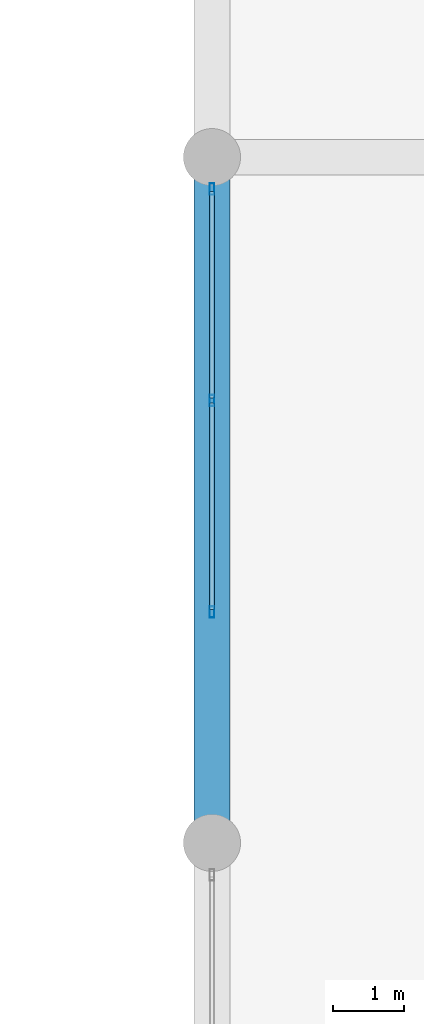
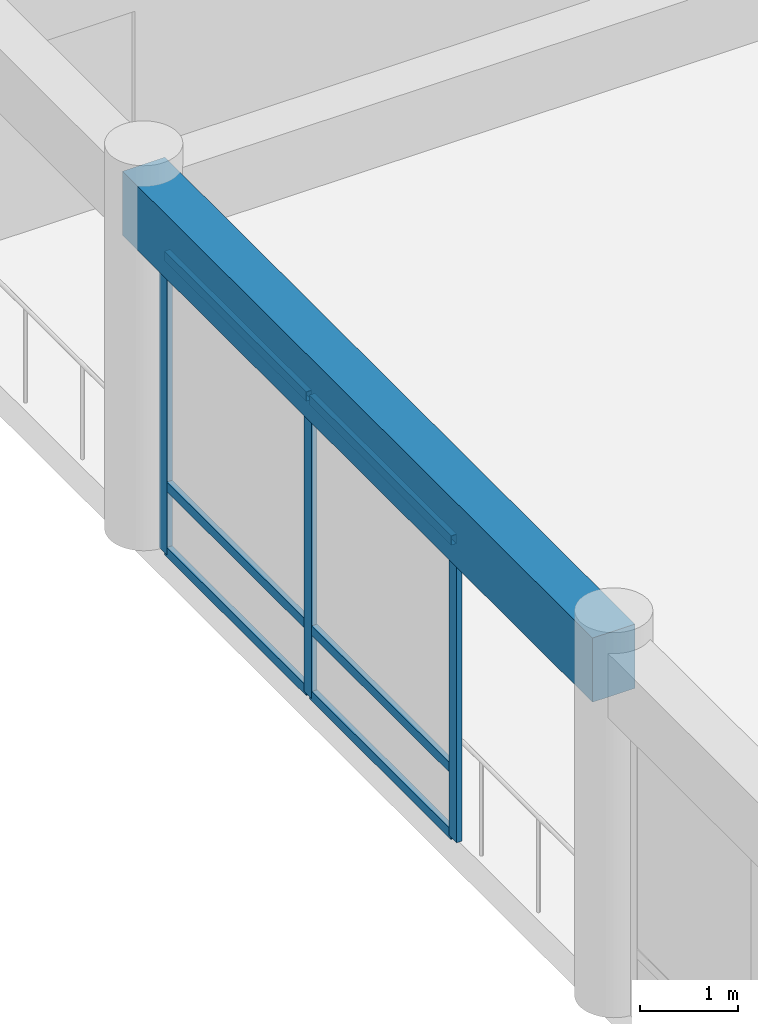
# One storey, part 24 of 101: 9 members, 1 beam, 1 element without a shape of its own.
"""IFC4 building model written with IfcOpenShell, lengths in metres."""

from ifc_helpers import new_model, si_unit, direction, frame, origin, origin_2d, place, context, subcontext, project, spatial, rectangle, hollow_rectangle, extrude, material, layer, layer_set, material_profile, profile_set, type_object, element, aggregate, save


model = new_model("IFC4")

# Units and contexts
model_context = context("Model", 3, precision=1e-05, world=origin(), true_north=direction((0.0, 1.0)))
body_context = subcontext(model_context, "Body", "Model", "MODEL_VIEW")
ifc_project = project(units=[si_unit("LENGTHUNIT", "METRE"), si_unit("AREAUNIT", "SQUARE_METRE"), si_unit("VOLUMEUNIT", "CUBIC_METRE"), si_unit("PLANEANGLEUNIT", "RADIAN"), si_unit("MASSUNIT", "GRAM", prefix="KILO")], contexts=[model_context])

# Site, building, storey
site_placement = place(None, origin())
site = spatial("IfcSite", under=ifc_project, at=site_placement, CompositionType="ELEMENT")
building_placement = place(site_placement, origin())
building = spatial("IfcBuilding", under=site, at=building_placement, Name="Nakhvara Creek Congress Hotel", CompositionType="ELEMENT")
storey_placement = place(building_placement, frame((0.0, 0.0, 16.199951171875)))
storey = spatial("IfcBuildingStorey", under=building, at=storey_placement, Name="L03", CompositionType="ELEMENT", Elevation=16.199951171875)

# Beam
ifc_material_1 = material(Name="Concrete C40/50", Category="concrete")
ifc_material_profile_1 = material_profile(ifc_material_1, rectangle(XDim=0.5, YDim=0.800048828125, at=origin_2d()), Name="RC-BM 500x800", Category="LoadBearing")
ifc_profile_set_1 = profile_set([ifc_material_profile_1], Name="Concrete C40/50")
beam_type = type_object("IfcBeamType", Name="BM-RC-500X800", PredefinedType="BEAM", material=ifc_profile_set_1)
beam_placement = place(storey_placement, frame((124.800048828125, 62.39990234375, 4.14013671875), z_axis=(0.0, 1.0, 0.0), x_axis=(-1.0, 0.0, 0.0)))
element("IfcBeam", 1, at=beam_placement, inside=storey, type_object=beam_type, Name="Beam B03-L03-1777", PredefinedType="BEAM", context=body_context, shape_type="SweptSolid", body=[
    extrude(rectangle(XDim=0.5, YDim=0.800048828125, at=origin_2d()), origin(), (0.0, 0.0, 1.0), 9.60009765625),
])

# Curtain wall, members
ifc_material_2 = material(Name="Bronze-anodised aluminium AW-6063-T6 and double-silver low-E glass", Category="aluminium")
ifc_layer = layer(ifc_material_2, 0.199951171875)
ifc_layer_set = layer_set([ifc_layer], Name="Bronze-anodised aluminium AW-6063-T6 and double-silver low-E glass")
curtain_wall_type = type_object("IfcCurtainWallType", Name="CW-POD-STICK", PredefinedType="NOTDEFINED", material=ifc_layer_set)
curtain_wall_placement = place(storey_placement, origin())
curtain_wall = element("IfcCurtainWall", 2, at=curtain_wall_placement, inside=storey, type_object=curtain_wall_type, Name="Curtain Wall CW064", PredefinedType="NOTDEFINED")
ifc_material_3 = material(Name="Bronze-anodised aluminium AW-6063-T6", Category="aluminium")
ifc_material_profile_2 = material_profile(ifc_material_3, hollow_rectangle(XDim=0.06494140625, YDim=0.159912109375, WallThickness=0.00390625, at=origin_2d()), Name="ALU-MULL 65x160x4", Category="LoadBearing")
ifc_profile_set_2 = profile_set([ifc_material_profile_2], Name="Bronze-anodised aluminium AW-6063-T6")
member_type_1 = type_object("IfcMemberType", Name="CW-MULL-160", PredefinedType="MULLION", material=ifc_profile_set_2)
member_1_placement = place(storey_placement, frame((124.800048828125, 65.632568359375, 0.0), z_axis=(0.0, 0.0, 1.0), x_axis=(-1.0, 0.0, 0.0)))
member_1 = element("IfcMember", 3, at=member_1_placement, type_object=member_type_1, Name="CW064 mullion 1", PredefinedType="MULLION", context=body_context, shape_type="SweptSolid", body=[
    extrude(hollow_rectangle(XDim=0.06494140625, YDim=0.159912109375, WallThickness=0.00390625, at=origin_2d()), origin(), (0.0, 0.0, 1.0), 3.73193359375),
])
member_2_placement = place(storey_placement, frame((124.800048828125, 68.592529296875, 0.0), z_axis=(0.0, 0.0, 1.0), x_axis=(-1.0, 0.0, 0.0)))
member_2 = element("IfcMember", 4, at=member_2_placement, type_object=member_type_1, Name="CW064 mullion 2", PredefinedType="MULLION", context=body_context, shape_type="SweptSolid", body=[
    extrude(hollow_rectangle(XDim=0.06494140625, YDim=0.159912109375, WallThickness=0.00390625, at=origin_2d()), origin(), (0.0, 0.0, 1.0), 3.73193359375),
])
member_3_placement = place(storey_placement, frame((124.800048828125, 71.552490234375, 0.0), z_axis=(0.0, 0.0, 1.0), x_axis=(-1.0, 0.0, 0.0)))
member_3 = element("IfcMember", 5, at=member_3_placement, type_object=member_type_1, Name="CW064 mullion 3", PredefinedType="MULLION", context=body_context, shape_type="SweptSolid", body=[
    extrude(hollow_rectangle(XDim=0.06494140625, YDim=0.159912109375, WallThickness=0.00390625, at=origin_2d()), origin(), (0.0, 0.0, 1.0), 3.73193359375),
])
ifc_material_profile_3 = material_profile(ifc_material_3, hollow_rectangle(XDim=0.06494140625, YDim=0.1201171875, WallThickness=0.00390625, at=origin_2d()), Name="ALU-TRAN 65x120x4", Category="LoadBearing")
ifc_profile_set_3 = profile_set([ifc_material_profile_3], Name="Bronze-anodised aluminium AW-6063-T6")
member_type_2 = type_object("IfcMemberType", Name="CW-TRAN-120", PredefinedType="USERDEFINED", material=ifc_profile_set_3)
member_4_placement = place(storey_placement, frame((124.800048828125, 65.6650390625, 0.032470703125), z_axis=(0.0, 1.0, 0.0), x_axis=(-1.0, 0.0, 0.0)))
member_4 = element("IfcMember", 6, at=member_4_placement, type_object=member_type_2, Name="CW064 transom 1.1", ObjectType="TRANSOM", PredefinedType="USERDEFINED", context=body_context, shape_type="SweptSolid", body=[
    extrude(hollow_rectangle(XDim=0.06494140625, YDim=0.1201171875, WallThickness=0.00390625, at=origin_2d()), origin(), (0.0, 0.0, 1.0), 2.89501953125),
])
member_5_placement = place(storey_placement, frame((124.800048828125, 65.6650390625, 0.85009765625), z_axis=(0.0, 1.0, 0.0), x_axis=(-1.0, 0.0, 0.0)))
member_5 = element("IfcMember", 7, at=member_5_placement, type_object=member_type_2, Name="CW064 transom 1.2", ObjectType="TRANSOM", PredefinedType="USERDEFINED", context=body_context, shape_type="SweptSolid", body=[
    extrude(hollow_rectangle(XDim=0.06494140625, YDim=0.1201171875, WallThickness=0.00390625, at=origin_2d()), origin(), (0.0, 0.0, 1.0), 2.89501953125),
])
member_6_placement = place(storey_placement, frame((124.800048828125, 65.6650390625, 3.699462890625), z_axis=(0.0, 1.0, 0.0), x_axis=(-1.0, 0.0, 0.0)))
member_6 = element("IfcMember", 8, at=member_6_placement, type_object=member_type_2, Name="CW064 transom 1.3", ObjectType="TRANSOM", PredefinedType="USERDEFINED", context=body_context, shape_type="SweptSolid", body=[
    extrude(hollow_rectangle(XDim=0.06494140625, YDim=0.1201171875, WallThickness=0.00390625, at=origin_2d()), origin(), (0.0, 0.0, 1.0), 2.89501953125),
])
member_7_placement = place(storey_placement, frame((124.800048828125, 68.625, 0.032470703125), z_axis=(0.0, 1.0, 0.0), x_axis=(-1.0, 0.0, 0.0)))
member_7 = element("IfcMember", 9, at=member_7_placement, type_object=member_type_2, Name="CW064 transom 2.1", ObjectType="TRANSOM", PredefinedType="USERDEFINED", context=body_context, shape_type="SweptSolid", body=[
    extrude(hollow_rectangle(XDim=0.06494140625, YDim=0.1201171875, WallThickness=0.00390625, at=origin_2d()), origin(), (0.0, 0.0, 1.0), 2.89501953125),
])
member_8_placement = place(storey_placement, frame((124.800048828125, 68.625, 0.85009765625), z_axis=(0.0, 1.0, 0.0), x_axis=(-1.0, 0.0, 0.0)))
member_8 = element("IfcMember", 10, at=member_8_placement, type_object=member_type_2, Name="CW064 transom 2.2", ObjectType="TRANSOM", PredefinedType="USERDEFINED", context=body_context, shape_type="SweptSolid", body=[
    extrude(hollow_rectangle(XDim=0.06494140625, YDim=0.1201171875, WallThickness=0.00390625, at=origin_2d()), origin(), (0.0, 0.0, 1.0), 2.89501953125),
])
member_9_placement = place(storey_placement, frame((124.800048828125, 68.625, 3.699462890625), z_axis=(0.0, 1.0, 0.0), x_axis=(-1.0, 0.0, 0.0)))
member_9 = element("IfcMember", 11, at=member_9_placement, type_object=member_type_2, Name="CW064 transom 2.3", ObjectType="TRANSOM", PredefinedType="USERDEFINED", context=body_context, shape_type="SweptSolid", body=[
    extrude(hollow_rectangle(XDim=0.06494140625, YDim=0.1201171875, WallThickness=0.00390625, at=origin_2d()), origin(), (0.0, 0.0, 1.0), 2.89501953125),
])
aggregate(curtain_wall, [member_1, member_2, member_3, member_4, member_5, member_6, member_7, member_8, member_9])

save(model, "model.ifc")
